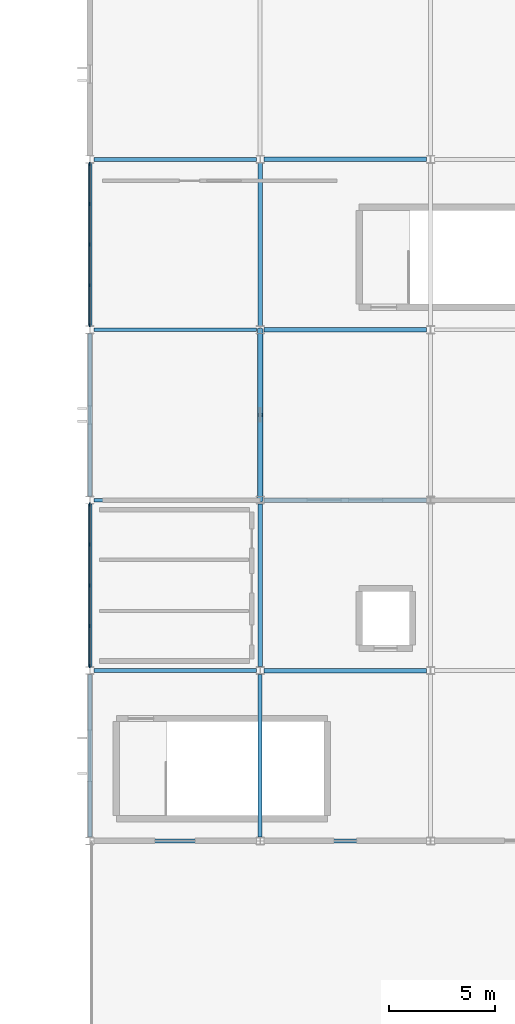
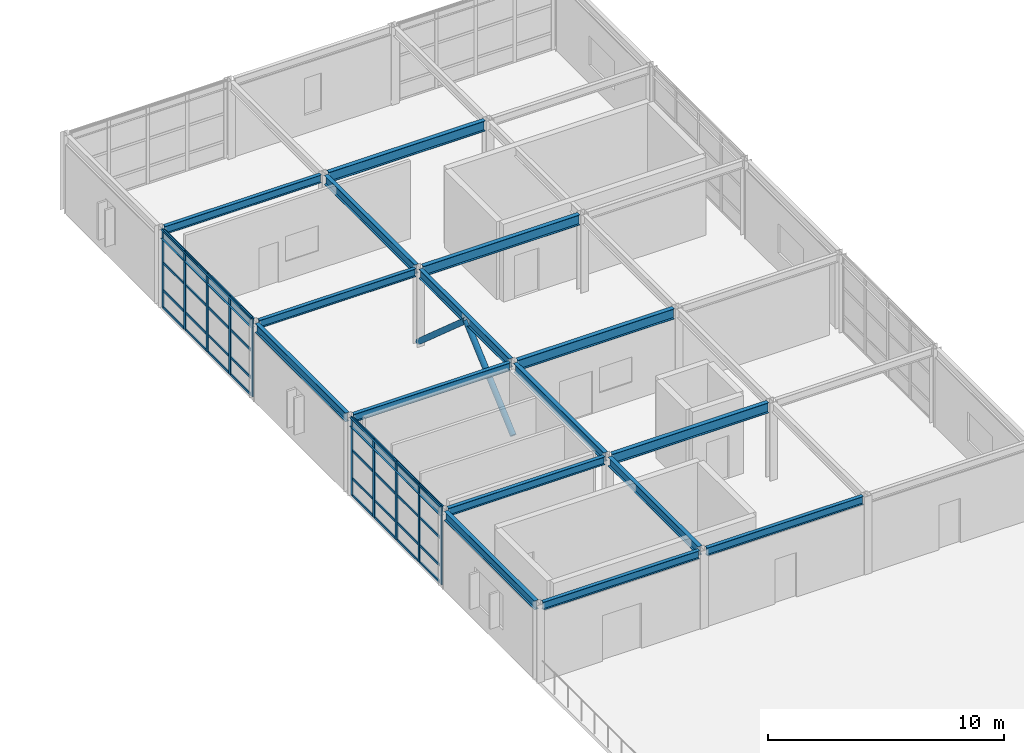
# One storey, part 17 of 34: 44 members, 18 beams, 2 elements without a shape of their own.
"""IFC4 building model written with IfcOpenShell, lengths in metres."""

from ifc_helpers import new_model, si_unit, direction, frame, origin, origin_2d, place, context, subcontext, project, spatial, rectangle, hollow_circle, i_section, extrude, material, layer, layer_set, material_profile, profile_set, type_object, element, aggregate, save


model = new_model("IFC4")

# Units and contexts
model_context = context("Model", 3, precision=1e-05, world=origin(), true_north=direction((0.0, 1.0)))
body_context = subcontext(model_context, "Body", "Model", "MODEL_VIEW")
ifc_project = project(units=[si_unit("LENGTHUNIT", "METRE"), si_unit("AREAUNIT", "SQUARE_METRE"), si_unit("VOLUMEUNIT", "CUBIC_METRE"), si_unit("PLANEANGLEUNIT", "RADIAN"), si_unit("MASSUNIT", "GRAM", prefix="KILO")], contexts=[model_context])

# Site, building, storey
site_placement = place(None, origin())
site = spatial("IfcSite", under=ifc_project, at=site_placement, CompositionType="ELEMENT")
building_placement = place(site_placement, origin())
building = spatial("IfcBuilding", under=site, at=building_placement, Name="Varnela Railside Interchange", CompositionType="ELEMENT")
storey_placement = place(building_placement, frame((0.0, 0.0, 19.60009765625)))
storey = spatial("IfcBuildingStorey", under=building, at=storey_placement, Name="L04", CompositionType="ELEMENT", Elevation=19.60009765625)

# Beams
ifc_material_1 = material(Name="Steel AR 350 (350 MPa)", Category="steel")
ifc_material_profile_1 = material_profile(ifc_material_1, i_section(OverallWidth=0.208984375, OverallDepth=0.532958984375, WebThickness=0.01025390625, FlangeThickness=0.015625, at=origin_2d()), Name="W530x92")
ifc_profile_set_1 = profile_set([ifc_material_profile_1], Name="Steel AR 350 (350 MPa)")
beam_type_1 = type_object("IfcBeamType", Name="Composite Girder B-18", PredefinedType="BEAM", material=ifc_profile_set_1)
for number, where, z_axis, x_axis, name in (
    (1, (124.18505859375, 62.0, 3.75341796875), (1.0, 0.0, 0.0), (0.0, 1.0, 0.0), "Composite Girder B-18 (L04) (BM-2439)"),
    (2, (124.18505859375, 70.0, 3.75341796875), (1.0, 0.0, 0.0), (0.0, 1.0, 0.0), "Composite Girder B-18 (L04) (BM-2445)"),
    (3, (124.18505859375, 78.0, 3.75341796875), (1.0, 0.0, 0.0), (0.0, 1.0, 0.0), "Composite Girder B-18 (L04) (BM-2451)"),
    (4, (124.18505859375, 86.0, 3.75341796875), (1.0, 0.0, 0.0), (0.0, 1.0, 0.0), "Composite Girder B-18 (L04) (BM-2460)"),
):
    element("IfcBeam", number, at=place(storey_placement, frame(where, z_axis=z_axis, x_axis=x_axis)), inside=storey, type_object=beam_type_1, Name=name, PredefinedType="BEAM", context=body_context, shape_type="SweptSolid", body=[
        extrude(i_section(OverallWidth=0.208984375, OverallDepth=0.532958984375, WebThickness=0.01025390625, FlangeThickness=0.015625, at=origin_2d()), origin(), (0.0, 0.0, 1.0), 7.6298828125),
    ])
ifc_material_profile_2 = material_profile(ifc_material_1, i_section(OverallWidth=0.194091796875, OverallDepth=0.468994140625, WebThickness=0.0126953125, FlangeThickness=0.0205078125, at=origin_2d()), Name="W460x106")
ifc_profile_set_2 = profile_set([ifc_material_profile_2], Name="Steel AR 350 (350 MPa)")
beam_type_2 = type_object("IfcBeamType", Name="Composite Primary Beam B-19", PredefinedType="BEAM", material=ifc_profile_set_2)
for number, where, z_axis, x_axis, name in (
    (5, (124.0, 62.179931640625, 3.785400390625), (0.0, 1.0, 0.0), (-1.0, 0.0, 0.0), "Composite Primary Beam B-19 (L04) (BM-2483)"),
    (6, (124.0, 70.179931640625, 3.785400390625), (0.0, 1.0, 0.0), (-1.0, 0.0, 0.0), "Composite Primary Beam B-19 (L04) (BM-2484)"),
    (7, (124.0, 78.179931640625, 3.785400390625), (0.0, 1.0, 0.0), (-1.0, 0.0, 0.0), "Composite Primary Beam B-19 (L04) (BM-2485)"),
):
    element("IfcBeam", number, at=place(storey_placement, frame(where, z_axis=z_axis, x_axis=x_axis)), inside=storey, type_object=beam_type_2, Name=name, PredefinedType="BEAM", context=body_context, shape_type="SweptSolid", body=[
        extrude(i_section(OverallWidth=0.194091796875, OverallDepth=0.468994140625, WebThickness=0.0126953125, FlangeThickness=0.0205078125, at=origin_2d()), origin(), (0.0, 0.0, 1.0), 7.64013671875),
    ])

# Curtain wall, members
ifc_material_2 = material(Name="Aluminium 6063-T6", Category="aluminium")
ifc_layer = layer(ifc_material_2, 0.035888671875)
ifc_layer_set = layer_set([ifc_layer], Name="Aluminium 6063-T6")
curtain_wall_type = type_object("IfcCurtainWallType", Name="Study Pavilion Gallery Curtain Wall CW-02", PredefinedType="USERDEFINED", material=ifc_layer_set)
curtain_wall_1_placement = place(storey_placement, origin())
curtain_wall_1 = element("IfcCurtainWall", 8, at=curtain_wall_1_placement, inside=storey, type_object=curtain_wall_type, Name="Curtain Wall CW-02 (L04) (CW-115)", ObjectType="CURTAIN WALL", PredefinedType="USERDEFINED")
ifc_material_profile_3 = material_profile(ifc_material_2, rectangle(XDim=0.06005859375, YDim=0.159912109375, at=origin_2d()), Name="ALU 60x160")
ifc_profile_set_3 = profile_set([ifc_material_profile_3], Name="Aluminium 6063-T6")
member_type_1 = type_object("IfcMemberType", Name="Curtain Wall Mullion ML-02", PredefinedType="MULLION", material=ifc_profile_set_3)
member_1_placement = place(storey_placement, frame((116.0, 62.2099609375, 0.0), z_axis=(0.0, 0.0, 1.0), x_axis=(-1.0, 0.0, 0.0)))
member_1 = element("IfcMember", 9, at=member_1_placement, type_object=member_type_1, Name="CW-02 mullion 1", PredefinedType="MULLION", context=body_context, shape_type="SweptSolid", body=[
    extrude(rectangle(XDim=0.06005859375, YDim=0.159912109375, at=origin_2d()), origin(), (0.0, 0.0, 1.0), 4.02001953125),
])
member_2_placement = place(storey_placement, frame((116.0, 64.090087890625, 0.0), z_axis=(0.0, 0.0, 1.0), x_axis=(-1.0, 0.0, 0.0)))
member_2 = element("IfcMember", 10, at=member_2_placement, type_object=member_type_1, Name="CW-02 mullion 2", PredefinedType="MULLION", context=body_context, shape_type="SweptSolid", body=[
    extrude(rectangle(XDim=0.06005859375, YDim=0.159912109375, at=origin_2d()), origin(), (0.0, 0.0, 1.0), 4.02001953125),
])
member_3_placement = place(storey_placement, frame((116.0, 66.0, 0.0), z_axis=(0.0, 0.0, 1.0), x_axis=(-1.0, 0.0, 0.0)))
member_3 = element("IfcMember", 11, at=member_3_placement, type_object=member_type_1, Name="CW-02 mullion 3", PredefinedType="MULLION", context=body_context, shape_type="SweptSolid", body=[
    extrude(rectangle(XDim=0.06005859375, YDim=0.159912109375, at=origin_2d()), origin(), (0.0, 0.0, 1.0), 4.02001953125),
])
member_4_placement = place(storey_placement, frame((116.0, 67.909912109375, 0.0), z_axis=(0.0, 0.0, 1.0), x_axis=(-1.0, 0.0, 0.0)))
member_4 = element("IfcMember", 12, at=member_4_placement, type_object=member_type_1, Name="CW-02 mullion 4", PredefinedType="MULLION", context=body_context, shape_type="SweptSolid", body=[
    extrude(rectangle(XDim=0.06005859375, YDim=0.159912109375, at=origin_2d()), origin(), (0.0, 0.0, 1.0), 4.02001953125),
])
member_5_placement = place(storey_placement, frame((116.0, 69.7900390625, 0.0), z_axis=(0.0, 0.0, 1.0), x_axis=(-1.0, 0.0, 0.0)))
member_5 = element("IfcMember", 13, at=member_5_placement, type_object=member_type_1, Name="CW-02 mullion 5", PredefinedType="MULLION", context=body_context, shape_type="SweptSolid", body=[
    extrude(rectangle(XDim=0.06005859375, YDim=0.159912109375, at=origin_2d()), origin(), (0.0, 0.0, 1.0), 4.02001953125),
])

curtain_wall_2_placement = place(storey_placement, origin())
curtain_wall_2 = element("IfcCurtainWall", 14, at=curtain_wall_2_placement, inside=storey, type_object=curtain_wall_type, Name="Curtain Wall CW-02 (L04) (CW-116)", ObjectType="CURTAIN WALL", PredefinedType="USERDEFINED")
member_6_placement = place(storey_placement, frame((116.0, 78.2099609375, 0.0), z_axis=(0.0, 0.0, 1.0), x_axis=(-1.0, 0.0, 0.0)))
member_6 = element("IfcMember", 15, at=member_6_placement, type_object=member_type_1, Name="CW-02 mullion 1", PredefinedType="MULLION", context=body_context, shape_type="SweptSolid", body=[
    extrude(rectangle(XDim=0.06005859375, YDim=0.159912109375, at=origin_2d()), origin(), (0.0, 0.0, 1.0), 4.02001953125),
])
member_7_placement = place(storey_placement, frame((116.0, 80.090087890625, 0.0), z_axis=(0.0, 0.0, 1.0), x_axis=(-1.0, 0.0, 0.0)))
member_7 = element("IfcMember", 16, at=member_7_placement, type_object=member_type_1, Name="CW-02 mullion 2", PredefinedType="MULLION", context=body_context, shape_type="SweptSolid", body=[
    extrude(rectangle(XDim=0.06005859375, YDim=0.159912109375, at=origin_2d()), origin(), (0.0, 0.0, 1.0), 4.02001953125),
])
member_8_placement = place(storey_placement, frame((116.0, 82.0, 0.0), z_axis=(0.0, 0.0, 1.0), x_axis=(-1.0, 0.0, 0.0)))
member_8 = element("IfcMember", 17, at=member_8_placement, type_object=member_type_1, Name="CW-02 mullion 3", PredefinedType="MULLION", context=body_context, shape_type="SweptSolid", body=[
    extrude(rectangle(XDim=0.06005859375, YDim=0.159912109375, at=origin_2d()), origin(), (0.0, 0.0, 1.0), 4.02001953125),
])
member_9_placement = place(storey_placement, frame((116.0, 83.909912109375, 0.0), z_axis=(0.0, 0.0, 1.0), x_axis=(-1.0, 0.0, 0.0)))
member_9 = element("IfcMember", 18, at=member_9_placement, type_object=member_type_1, Name="CW-02 mullion 4", PredefinedType="MULLION", context=body_context, shape_type="SweptSolid", body=[
    extrude(rectangle(XDim=0.06005859375, YDim=0.159912109375, at=origin_2d()), origin(), (0.0, 0.0, 1.0), 4.02001953125),
])
member_10_placement = place(storey_placement, frame((116.0, 85.7900390625, 0.0), z_axis=(0.0, 0.0, 1.0), x_axis=(-1.0, 0.0, 0.0)))
member_10 = element("IfcMember", 19, at=member_10_placement, type_object=member_type_1, Name="CW-02 mullion 5", PredefinedType="MULLION", context=body_context, shape_type="SweptSolid", body=[
    extrude(rectangle(XDim=0.06005859375, YDim=0.159912109375, at=origin_2d()), origin(), (0.0, 0.0, 1.0), 4.02001953125),
])

# Member
ifc_material_profile_4 = material_profile(ifc_material_2, rectangle(XDim=0.06005859375, YDim=0.1201171875, at=origin_2d()), Name="ALU 60x120")
ifc_profile_set_4 = profile_set([ifc_material_profile_4], Name="Aluminium 6063-T6")
member_type_2 = type_object("IfcMemberType", Name="Curtain Wall Transom TR-02", PredefinedType="USERDEFINED", material=ifc_profile_set_4)
member_11_placement = place(storey_placement, frame((116.0, 62.239990234375, 0.02978515625), z_axis=(0.0, 1.0, 0.0), x_axis=(-1.0, 0.0, 0.0)))
member_11 = element("IfcMember", 20, at=member_11_placement, type_object=member_type_2, Name="CW-02 transom 1.1", ObjectType="TRANSOM", PredefinedType="USERDEFINED", context=body_context, shape_type="SweptSolid", body=[
    extrude(rectangle(XDim=0.06005859375, YDim=0.1201171875, at=origin_2d()), origin(), (0.0, 0.0, 1.0), 1.820068359375),
])

member_12_placement = place(storey_placement, frame((116.0, 62.239990234375, 0.89990234375), z_axis=(0.0, 1.0, 0.0), x_axis=(-1.0, 0.0, 0.0)))
member_12 = element("IfcMember", 21, at=member_12_placement, type_object=member_type_2, Name="CW-02 transom 1.2", ObjectType="TRANSOM", PredefinedType="USERDEFINED", context=body_context, shape_type="SweptSolid", body=[
    extrude(rectangle(XDim=0.06005859375, YDim=0.1201171875, at=origin_2d()), origin(), (0.0, 0.0, 1.0), 1.820068359375),
])

member_13_placement = place(storey_placement, frame((116.0, 62.239990234375, 2.33154296875), z_axis=(0.0, 1.0, 0.0), x_axis=(-1.0, 0.0, 0.0)))
member_13 = element("IfcMember", 22, at=member_13_placement, type_object=member_type_2, Name="CW-02 transom 1.3", ObjectType="TRANSOM", PredefinedType="USERDEFINED", context=body_context, shape_type="SweptSolid", body=[
    extrude(rectangle(XDim=0.06005859375, YDim=0.1201171875, at=origin_2d()), origin(), (0.0, 0.0, 1.0), 1.820068359375),
])

member_14_placement = place(storey_placement, frame((116.0, 62.239990234375, 3.989990234375), z_axis=(0.0, 1.0, 0.0), x_axis=(-1.0, 0.0, 0.0)))
member_14 = element("IfcMember", 23, at=member_14_placement, type_object=member_type_2, Name="CW-02 transom 1.4", ObjectType="TRANSOM", PredefinedType="USERDEFINED", context=body_context, shape_type="SweptSolid", body=[
    extrude(rectangle(XDim=0.06005859375, YDim=0.1201171875, at=origin_2d()), origin(), (0.0, 0.0, 1.0), 1.820068359375),
])

member_15_placement = place(storey_placement, frame((116.0, 64.1201171875, 0.02978515625), z_axis=(0.0, 1.0, 0.0), x_axis=(-1.0, 0.0, 0.0)))
member_15 = element("IfcMember", 24, at=member_15_placement, type_object=member_type_2, Name="CW-02 transom 2.1", ObjectType="TRANSOM", PredefinedType="USERDEFINED", context=body_context, shape_type="SweptSolid", body=[
    extrude(rectangle(XDim=0.06005859375, YDim=0.1201171875, at=origin_2d()), origin(), (0.0, 0.0, 1.0), 1.849853515625),
])

member_16_placement = place(storey_placement, frame((116.0, 64.1201171875, 0.89990234375), z_axis=(0.0, 1.0, 0.0), x_axis=(-1.0, 0.0, 0.0)))
member_16 = element("IfcMember", 25, at=member_16_placement, type_object=member_type_2, Name="CW-02 transom 2.2", ObjectType="TRANSOM", PredefinedType="USERDEFINED", context=body_context, shape_type="SweptSolid", body=[
    extrude(rectangle(XDim=0.06005859375, YDim=0.1201171875, at=origin_2d()), origin(), (0.0, 0.0, 1.0), 1.849853515625),
])

member_17_placement = place(storey_placement, frame((116.0, 64.1201171875, 2.33154296875), z_axis=(0.0, 1.0, 0.0), x_axis=(-1.0, 0.0, 0.0)))
member_17 = element("IfcMember", 26, at=member_17_placement, type_object=member_type_2, Name="CW-02 transom 2.3", ObjectType="TRANSOM", PredefinedType="USERDEFINED", context=body_context, shape_type="SweptSolid", body=[
    extrude(rectangle(XDim=0.06005859375, YDim=0.1201171875, at=origin_2d()), origin(), (0.0, 0.0, 1.0), 1.849853515625),
])

member_18_placement = place(storey_placement, frame((116.0, 64.1201171875, 3.989990234375), z_axis=(0.0, 1.0, 0.0), x_axis=(-1.0, 0.0, 0.0)))
member_18 = element("IfcMember", 27, at=member_18_placement, type_object=member_type_2, Name="CW-02 transom 2.4", ObjectType="TRANSOM", PredefinedType="USERDEFINED", context=body_context, shape_type="SweptSolid", body=[
    extrude(rectangle(XDim=0.06005859375, YDim=0.1201171875, at=origin_2d()), origin(), (0.0, 0.0, 1.0), 1.849853515625),
])

member_19_placement = place(storey_placement, frame((116.0, 66.030029296875, 0.02978515625), z_axis=(0.0, 1.0, 0.0), x_axis=(-1.0, 0.0, 0.0)))
member_19 = element("IfcMember", 28, at=member_19_placement, type_object=member_type_2, Name="CW-02 transom 3.1", ObjectType="TRANSOM", PredefinedType="USERDEFINED", context=body_context, shape_type="SweptSolid", body=[
    extrude(rectangle(XDim=0.06005859375, YDim=0.1201171875, at=origin_2d()), origin(), (0.0, 0.0, 1.0), 1.849853515625),
])

member_20_placement = place(storey_placement, frame((116.0, 66.030029296875, 0.89990234375), z_axis=(0.0, 1.0, 0.0), x_axis=(-1.0, 0.0, 0.0)))
member_20 = element("IfcMember", 29, at=member_20_placement, type_object=member_type_2, Name="CW-02 transom 3.2", ObjectType="TRANSOM", PredefinedType="USERDEFINED", context=body_context, shape_type="SweptSolid", body=[
    extrude(rectangle(XDim=0.06005859375, YDim=0.1201171875, at=origin_2d()), origin(), (0.0, 0.0, 1.0), 1.849853515625),
])

member_21_placement = place(storey_placement, frame((116.0, 66.030029296875, 2.33154296875), z_axis=(0.0, 1.0, 0.0), x_axis=(-1.0, 0.0, 0.0)))
member_21 = element("IfcMember", 30, at=member_21_placement, type_object=member_type_2, Name="CW-02 transom 3.3", ObjectType="TRANSOM", PredefinedType="USERDEFINED", context=body_context, shape_type="SweptSolid", body=[
    extrude(rectangle(XDim=0.06005859375, YDim=0.1201171875, at=origin_2d()), origin(), (0.0, 0.0, 1.0), 1.849853515625),
])

member_22_placement = place(storey_placement, frame((116.0, 66.030029296875, 3.989990234375), z_axis=(0.0, 1.0, 0.0), x_axis=(-1.0, 0.0, 0.0)))
member_22 = element("IfcMember", 31, at=member_22_placement, type_object=member_type_2, Name="CW-02 transom 3.4", ObjectType="TRANSOM", PredefinedType="USERDEFINED", context=body_context, shape_type="SweptSolid", body=[
    extrude(rectangle(XDim=0.06005859375, YDim=0.1201171875, at=origin_2d()), origin(), (0.0, 0.0, 1.0), 1.849853515625),
])

member_23_placement = place(storey_placement, frame((116.0, 67.93994140625, 0.02978515625), z_axis=(0.0, 1.0, 0.0), x_axis=(-1.0, 0.0, 0.0)))
member_23 = element("IfcMember", 32, at=member_23_placement, type_object=member_type_2, Name="CW-02 transom 4.1", ObjectType="TRANSOM", PredefinedType="USERDEFINED", context=body_context, shape_type="SweptSolid", body=[
    extrude(rectangle(XDim=0.06005859375, YDim=0.1201171875, at=origin_2d()), origin(), (0.0, 0.0, 1.0), 1.820068359375),
])

member_24_placement = place(storey_placement, frame((116.0, 67.93994140625, 0.89990234375), z_axis=(0.0, 1.0, 0.0), x_axis=(-1.0, 0.0, 0.0)))
member_24 = element("IfcMember", 33, at=member_24_placement, type_object=member_type_2, Name="CW-02 transom 4.2", ObjectType="TRANSOM", PredefinedType="USERDEFINED", context=body_context, shape_type="SweptSolid", body=[
    extrude(rectangle(XDim=0.06005859375, YDim=0.1201171875, at=origin_2d()), origin(), (0.0, 0.0, 1.0), 1.820068359375),
])

member_25_placement = place(storey_placement, frame((116.0, 67.93994140625, 2.33154296875), z_axis=(0.0, 1.0, 0.0), x_axis=(-1.0, 0.0, 0.0)))
member_25 = element("IfcMember", 34, at=member_25_placement, type_object=member_type_2, Name="CW-02 transom 4.3", ObjectType="TRANSOM", PredefinedType="USERDEFINED", context=body_context, shape_type="SweptSolid", body=[
    extrude(rectangle(XDim=0.06005859375, YDim=0.1201171875, at=origin_2d()), origin(), (0.0, 0.0, 1.0), 1.820068359375),
])

member_26_placement = place(storey_placement, frame((116.0, 67.93994140625, 3.989990234375), z_axis=(0.0, 1.0, 0.0), x_axis=(-1.0, 0.0, 0.0)))
member_26 = element("IfcMember", 35, at=member_26_placement, type_object=member_type_2, Name="CW-02 transom 4.4", ObjectType="TRANSOM", PredefinedType="USERDEFINED", context=body_context, shape_type="SweptSolid", body=[
    extrude(rectangle(XDim=0.06005859375, YDim=0.1201171875, at=origin_2d()), origin(), (0.0, 0.0, 1.0), 1.820068359375),
])

aggregate(curtain_wall_1, [member_1, member_2, member_3, member_4, member_5, member_11, member_12, member_13, member_14, member_15, member_16, member_17, member_18, member_19, member_20, member_21, member_22, member_23, member_24, member_25, member_26])

member_27_placement = place(storey_placement, frame((116.0, 78.239990234375, 0.02978515625), z_axis=(0.0, 1.0, 0.0), x_axis=(-1.0, 0.0, 0.0)))
member_27 = element("IfcMember", 36, at=member_27_placement, type_object=member_type_2, Name="CW-02 transom 1.1", ObjectType="TRANSOM", PredefinedType="USERDEFINED", context=body_context, shape_type="SweptSolid", body=[
    extrude(rectangle(XDim=0.06005859375, YDim=0.1201171875, at=origin_2d()), origin(), (0.0, 0.0, 1.0), 1.820068359375),
])

member_28_placement = place(storey_placement, frame((116.0, 78.239990234375, 0.89990234375), z_axis=(0.0, 1.0, 0.0), x_axis=(-1.0, 0.0, 0.0)))
member_28 = element("IfcMember", 37, at=member_28_placement, type_object=member_type_2, Name="CW-02 transom 1.2", ObjectType="TRANSOM", PredefinedType="USERDEFINED", context=body_context, shape_type="SweptSolid", body=[
    extrude(rectangle(XDim=0.06005859375, YDim=0.1201171875, at=origin_2d()), origin(), (0.0, 0.0, 1.0), 1.820068359375),
])

member_29_placement = place(storey_placement, frame((116.0, 78.239990234375, 2.33154296875), z_axis=(0.0, 1.0, 0.0), x_axis=(-1.0, 0.0, 0.0)))
member_29 = element("IfcMember", 38, at=member_29_placement, type_object=member_type_2, Name="CW-02 transom 1.3", ObjectType="TRANSOM", PredefinedType="USERDEFINED", context=body_context, shape_type="SweptSolid", body=[
    extrude(rectangle(XDim=0.06005859375, YDim=0.1201171875, at=origin_2d()), origin(), (0.0, 0.0, 1.0), 1.820068359375),
])

member_30_placement = place(storey_placement, frame((116.0, 78.239990234375, 3.989990234375), z_axis=(0.0, 1.0, 0.0), x_axis=(-1.0, 0.0, 0.0)))
member_30 = element("IfcMember", 39, at=member_30_placement, type_object=member_type_2, Name="CW-02 transom 1.4", ObjectType="TRANSOM", PredefinedType="USERDEFINED", context=body_context, shape_type="SweptSolid", body=[
    extrude(rectangle(XDim=0.06005859375, YDim=0.1201171875, at=origin_2d()), origin(), (0.0, 0.0, 1.0), 1.820068359375),
])

member_31_placement = place(storey_placement, frame((116.0, 80.1201171875, 0.02978515625), z_axis=(0.0, 1.0, 0.0), x_axis=(-1.0, 0.0, 0.0)))
member_31 = element("IfcMember", 40, at=member_31_placement, type_object=member_type_2, Name="CW-02 transom 2.1", ObjectType="TRANSOM", PredefinedType="USERDEFINED", context=body_context, shape_type="SweptSolid", body=[
    extrude(rectangle(XDim=0.06005859375, YDim=0.1201171875, at=origin_2d()), origin(), (0.0, 0.0, 1.0), 1.849853515625),
])

member_32_placement = place(storey_placement, frame((116.0, 80.1201171875, 0.89990234375), z_axis=(0.0, 1.0, 0.0), x_axis=(-1.0, 0.0, 0.0)))
member_32 = element("IfcMember", 41, at=member_32_placement, type_object=member_type_2, Name="CW-02 transom 2.2", ObjectType="TRANSOM", PredefinedType="USERDEFINED", context=body_context, shape_type="SweptSolid", body=[
    extrude(rectangle(XDim=0.06005859375, YDim=0.1201171875, at=origin_2d()), origin(), (0.0, 0.0, 1.0), 1.849853515625),
])

member_33_placement = place(storey_placement, frame((116.0, 80.1201171875, 2.33154296875), z_axis=(0.0, 1.0, 0.0), x_axis=(-1.0, 0.0, 0.0)))
member_33 = element("IfcMember", 42, at=member_33_placement, type_object=member_type_2, Name="CW-02 transom 2.3", ObjectType="TRANSOM", PredefinedType="USERDEFINED", context=body_context, shape_type="SweptSolid", body=[
    extrude(rectangle(XDim=0.06005859375, YDim=0.1201171875, at=origin_2d()), origin(), (0.0, 0.0, 1.0), 1.849853515625),
])

member_34_placement = place(storey_placement, frame((116.0, 80.1201171875, 3.989990234375), z_axis=(0.0, 1.0, 0.0), x_axis=(-1.0, 0.0, 0.0)))
member_34 = element("IfcMember", 43, at=member_34_placement, type_object=member_type_2, Name="CW-02 transom 2.4", ObjectType="TRANSOM", PredefinedType="USERDEFINED", context=body_context, shape_type="SweptSolid", body=[
    extrude(rectangle(XDim=0.06005859375, YDim=0.1201171875, at=origin_2d()), origin(), (0.0, 0.0, 1.0), 1.849853515625),
])

member_35_placement = place(storey_placement, frame((116.0, 82.030029296875, 0.02978515625), z_axis=(0.0, 1.0, 0.0), x_axis=(-1.0, 0.0, 0.0)))
member_35 = element("IfcMember", 44, at=member_35_placement, type_object=member_type_2, Name="CW-02 transom 3.1", ObjectType="TRANSOM", PredefinedType="USERDEFINED", context=body_context, shape_type="SweptSolid", body=[
    extrude(rectangle(XDim=0.06005859375, YDim=0.1201171875, at=origin_2d()), origin(), (0.0, 0.0, 1.0), 1.849853515625),
])

member_36_placement = place(storey_placement, frame((116.0, 82.030029296875, 0.89990234375), z_axis=(0.0, 1.0, 0.0), x_axis=(-1.0, 0.0, 0.0)))
member_36 = element("IfcMember", 45, at=member_36_placement, type_object=member_type_2, Name="CW-02 transom 3.2", ObjectType="TRANSOM", PredefinedType="USERDEFINED", context=body_context, shape_type="SweptSolid", body=[
    extrude(rectangle(XDim=0.06005859375, YDim=0.1201171875, at=origin_2d()), origin(), (0.0, 0.0, 1.0), 1.849853515625),
])

member_37_placement = place(storey_placement, frame((116.0, 82.030029296875, 2.33154296875), z_axis=(0.0, 1.0, 0.0), x_axis=(-1.0, 0.0, 0.0)))
member_37 = element("IfcMember", 46, at=member_37_placement, type_object=member_type_2, Name="CW-02 transom 3.3", ObjectType="TRANSOM", PredefinedType="USERDEFINED", context=body_context, shape_type="SweptSolid", body=[
    extrude(rectangle(XDim=0.06005859375, YDim=0.1201171875, at=origin_2d()), origin(), (0.0, 0.0, 1.0), 1.849853515625),
])

member_38_placement = place(storey_placement, frame((116.0, 82.030029296875, 3.989990234375), z_axis=(0.0, 1.0, 0.0), x_axis=(-1.0, 0.0, 0.0)))
member_38 = element("IfcMember", 47, at=member_38_placement, type_object=member_type_2, Name="CW-02 transom 3.4", ObjectType="TRANSOM", PredefinedType="USERDEFINED", context=body_context, shape_type="SweptSolid", body=[
    extrude(rectangle(XDim=0.06005859375, YDim=0.1201171875, at=origin_2d()), origin(), (0.0, 0.0, 1.0), 1.849853515625),
])

member_39_placement = place(storey_placement, frame((116.0, 83.93994140625, 0.02978515625), z_axis=(0.0, 1.0, 0.0), x_axis=(-1.0, 0.0, 0.0)))
member_39 = element("IfcMember", 48, at=member_39_placement, type_object=member_type_2, Name="CW-02 transom 4.1", ObjectType="TRANSOM", PredefinedType="USERDEFINED", context=body_context, shape_type="SweptSolid", body=[
    extrude(rectangle(XDim=0.06005859375, YDim=0.1201171875, at=origin_2d()), origin(), (0.0, 0.0, 1.0), 1.820068359375),
])

member_40_placement = place(storey_placement, frame((116.0, 83.93994140625, 0.89990234375), z_axis=(0.0, 1.0, 0.0), x_axis=(-1.0, 0.0, 0.0)))
member_40 = element("IfcMember", 49, at=member_40_placement, type_object=member_type_2, Name="CW-02 transom 4.2", ObjectType="TRANSOM", PredefinedType="USERDEFINED", context=body_context, shape_type="SweptSolid", body=[
    extrude(rectangle(XDim=0.06005859375, YDim=0.1201171875, at=origin_2d()), origin(), (0.0, 0.0, 1.0), 1.820068359375),
])

member_41_placement = place(storey_placement, frame((116.0, 83.93994140625, 2.33154296875), z_axis=(0.0, 1.0, 0.0), x_axis=(-1.0, 0.0, 0.0)))
member_41 = element("IfcMember", 50, at=member_41_placement, type_object=member_type_2, Name="CW-02 transom 4.3", ObjectType="TRANSOM", PredefinedType="USERDEFINED", context=body_context, shape_type="SweptSolid", body=[
    extrude(rectangle(XDim=0.06005859375, YDim=0.1201171875, at=origin_2d()), origin(), (0.0, 0.0, 1.0), 1.820068359375),
])

member_42_placement = place(storey_placement, frame((116.0, 83.93994140625, 3.989990234375), z_axis=(0.0, 1.0, 0.0), x_axis=(-1.0, 0.0, 0.0)))
member_42 = element("IfcMember", 51, at=member_42_placement, type_object=member_type_2, Name="CW-02 transom 4.4", ObjectType="TRANSOM", PredefinedType="USERDEFINED", context=body_context, shape_type="SweptSolid", body=[
    extrude(rectangle(XDim=0.06005859375, YDim=0.1201171875, at=origin_2d()), origin(), (0.0, 0.0, 1.0), 1.820068359375),
])

aggregate(curtain_wall_2, [member_6, member_7, member_8, member_9, member_10, member_27, member_28, member_29, member_30, member_31, member_32, member_33, member_34, member_35, member_36, member_37, member_38, member_39, member_40, member_41, member_42])

# Beams
ifc_material_profile_5 = material_profile(ifc_material_1, i_section(OverallWidth=0.19091796875, OverallDepth=0.4599609375, WebThickness=0.010009765625, FlangeThickness=0.01611328125, at=origin_2d()), Name="W460x82")
ifc_profile_set_5 = profile_set([ifc_material_profile_5], Name="Steel AR 350 (350 MPa)")
beam_type_3 = type_object("IfcBeamType", Name="Steel Perimeter Spandrel SP-01", PredefinedType="SPANDREL", material=ifc_profile_set_5)
for number, where, z_axis, x_axis, name in (
    (52, (116.0, 54.179931640625, 3.789794921875), (0.0, 1.0, 0.0), (-1.0, 0.0, 0.0), "Steel Perimeter Spandrel SP-01 (L04) (BM-2477)"),
    (53, (116.0, 62.179931640625, 3.789794921875), (0.0, 1.0, 0.0), (-1.0, 0.0, 0.0), "Steel Perimeter Spandrel SP-01 (L04) (BM-2478)"),
    (54, (116.0, 70.179931640625, 3.789794921875), (0.0, 1.0, 0.0), (-1.0, 0.0, 0.0), "Steel Perimeter Spandrel SP-01 (L04) (BM-2479)"),
    (55, (116.0, 78.179931640625, 3.789794921875), (0.0, 1.0, 0.0), (-1.0, 0.0, 0.0), "Steel Perimeter Spandrel SP-01 (L04) (BM-2480)"),
    (56, (124.0, 54.179931640625, 3.789794921875), (0.0, 1.0, 0.0), (-1.0, 0.0, 0.0), "Steel Perimeter Spandrel SP-01 (L04) (BM-2482)"),
):
    element("IfcBeam", number, at=place(storey_placement, frame(where, z_axis=z_axis, x_axis=x_axis)), inside=storey, type_object=beam_type_3, Name=name, PredefinedType="SPANDREL", context=body_context, shape_type="SweptSolid", body=[
        extrude(i_section(OverallWidth=0.19091796875, OverallDepth=0.4599609375, WebThickness=0.010009765625, FlangeThickness=0.01611328125, at=origin_2d()), origin(), (0.0, 0.0, 1.0), 7.64013671875),
    ])
ifc_material_profile_6 = material_profile(ifc_material_1, i_section(OverallWidth=0.178955078125, OverallDepth=0.409912109375, WebThickness=0.0087890625, FlangeThickness=0.014404296875, at=origin_2d()), Name="W410x67")
ifc_profile_set_6 = profile_set([ifc_material_profile_6], Name="Steel AR 350 (350 MPa)")
beam_type_4 = type_object("IfcBeamType", Name="Steel Terrace Spandrel SP-02", PredefinedType="SPANDREL", material=ifc_profile_set_6)
for number, where, z_axis, x_axis, name in (
    (57, (116.18505859375, 54.0, 3.81494140625), (1.0, 0.0, 0.0), (0.0, 1.0, 0.0), "Steel Terrace Spandrel SP-02 (L04) (BM-2432)"),
    (58, (124.18505859375, 54.0, 3.81494140625), (1.0, 0.0, 0.0), (0.0, 1.0, 0.0), "Steel Terrace Spandrel SP-02 (L04) (BM-2433)"),
    (59, (116.18505859375, 62.0, 3.81494140625), (1.0, 0.0, 0.0), (0.0, 1.0, 0.0), "Steel Terrace Spandrel SP-02 (L04) (BM-2438)"),
    (60, (116.18505859375, 70.0, 3.81494140625), (1.0, 0.0, 0.0), (0.0, 1.0, 0.0), "Steel Terrace Spandrel SP-02 (L04) (BM-2444)"),
    (61, (116.18505859375, 78.0, 3.81494140625), (1.0, 0.0, 0.0), (0.0, 1.0, 0.0), "Steel Terrace Spandrel SP-02 (L04) (BM-2450)"),
    (62, (116.18505859375, 86.0, 3.81494140625), (1.0, 0.0, 0.0), (0.0, 1.0, 0.0), "Steel Terrace Spandrel SP-02 (L04) (BM-2459)"),
):
    element("IfcBeam", number, at=place(storey_placement, frame(where, z_axis=z_axis, x_axis=x_axis)), inside=storey, type_object=beam_type_4, Name=name, PredefinedType="SPANDREL", context=body_context, shape_type="SweptSolid", body=[
        extrude(i_section(OverallWidth=0.178955078125, OverallDepth=0.409912109375, WebThickness=0.0087890625, FlangeThickness=0.014404296875, at=origin_2d()), origin(), (0.0, 0.0, 1.0), 7.6298828125),
    ])

# Members
ifc_material_profile_7 = material_profile(ifc_material_1, hollow_circle(Radius=0.136474609375, WallThickness=0.01611328125, at=origin_2d()), Name="CHS 273x16")
ifc_profile_set_7 = profile_set([ifc_material_profile_7], Name="Steel AR 350 (350 MPa)")
member_type_3 = type_object("IfcMemberType", Name="Tubular Upper Brace BR-12", PredefinedType="BRACE", material=ifc_profile_set_7)
for number, where, z_axis, x_axis, name in (
    (63, (124.0, 70.0, 0.14990234375), (0.0, 0.750711699002, 0.660629960706), (-1.0, 0.0, 0.0), "Tubular Upper Brace BR-12 (L04) (MB-0170)"),
    (64, (124.0, 78.0, 0.14990234375), (0.0, -0.750711699002, 0.660629960706), (1.0, 0.0, 0.0), "Tubular Upper Brace BR-12 (L04) (MB-0171)"),
):
    element("IfcMember", number, at=place(storey_placement, frame(where, z_axis=z_axis, x_axis=x_axis)), inside=storey, type_object=member_type_3, Name=name, PredefinedType="BRACE", context=body_context, shape_type="SweptSolid", body=[
        extrude(hollow_circle(Radius=0.136474609375, WallThickness=0.01611328125, at=origin_2d()), origin(), (0.0, 0.0, 1.0), 5.328369140625),
    ])

save(model, "model.ifc")
